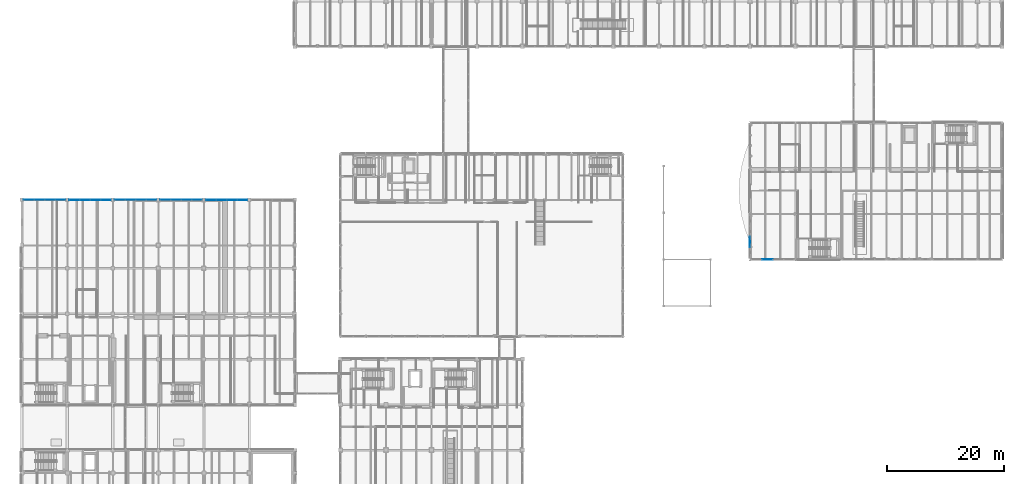
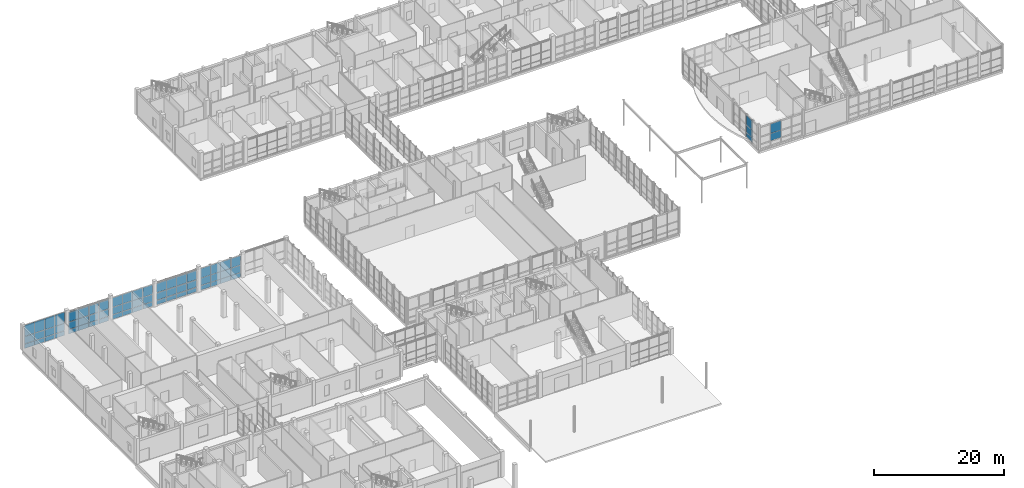
# One storey, part 76 of 131: 65 plates, 7 elements without a shape of their own.
"""IFC4 building model written with IfcOpenShell, lengths in metres."""

from ifc_helpers import new_model, si_unit, direction, frame, origin, origin_2d, place, context, subcontext, project, spatial, rectangle, extrude, material, layer, layer_set, type_object, element, aggregate, save


model = new_model("IFC4")

# Units and contexts
model_context = context("Model", 3, precision=1e-05, world=origin(), true_north=direction((0.0, 1.0)))
body_context = subcontext(model_context, "Body", "Model", "MODEL_VIEW")
ifc_project = project(units=[si_unit("LENGTHUNIT", "METRE"), si_unit("AREAUNIT", "SQUARE_METRE"), si_unit("VOLUMEUNIT", "CUBIC_METRE"), si_unit("PLANEANGLEUNIT", "RADIAN"), si_unit("MASSUNIT", "GRAM", prefix="KILO")], contexts=[model_context])

# Site, building, storey
site_placement = place(None, origin())
site = spatial("IfcSite", under=ifc_project, at=site_placement, CompositionType="ELEMENT")
building_placement = place(site_placement, origin())
building = spatial("IfcBuilding", under=site, at=building_placement, Name="Celorna Specialist Clinic", CompositionType="ELEMENT")
storey_placement = place(building_placement, origin())
storey = spatial("IfcBuildingStorey", under=building, at=storey_placement, Name="L00", CompositionType="ELEMENT", Elevation=0.0)

# Curtain wall, plates
ifc_material_1 = material(Name="Thermally broken aluminium and solar-control glass curtain wall", Category="aluminium")
ifc_layer_1 = layer(ifc_material_1, 0.159912109375, Name="Thermally broken aluminium and solar-control glass curtain wall")
ifc_layer_set_1 = layer_set([ifc_layer_1], Name="Thermally broken aluminium and solar-control glass curtain wall")
curtain_wall_type_1 = type_object("IfcCurtainWallType", Name="CW-16", PredefinedType="NOTDEFINED", material=ifc_layer_set_1)
curtain_wall_1_placement = place(storey_placement, origin())
curtain_wall_1 = element("IfcCurtainWall", 1, at=curtain_wall_1_placement, inside=storey, type_object=curtain_wall_type_1, Name="Curtain wall CW-16 #43", PredefinedType="NOTDEFINED")
ifc_material_2 = material(Name="Low-e double glazing", Category="glass")
ifc_layer_2 = layer(ifc_material_2, 0.028076171875, Name="Low-e double glazing")
ifc_layer_set_2 = layer_set([ifc_layer_2], Name="Low-e double glazing")
plate_type_1 = type_object("IfcPlateType", Name="CPN-01", PredefinedType="CURTAIN_PANEL", material=ifc_layer_set_2)
plate_1_placement = place(storey_placement, frame((16.8154296875, 70.199951171875, 0.0498046875), z_axis=(0.0, 0.0, 1.0), x_axis=(1.0, 0.0, 0.0)))
plate_1 = element("IfcPlate", 2, at=plate_1_placement, type_object=plate_type_1, Name="CW-16 panel 1.1", PredefinedType="CURTAIN_PANEL", context=body_context, shape_type="SweptSolid", body=[
    extrude(rectangle(XDim=1.722900390625, YDim=0.028076171875, at=origin_2d()), origin(), (0.0, 0.0, 1.0), 0.824951171875),
])
plate_2_placement = place(storey_placement, frame((16.8154296875, 70.199951171875, 0.925048828125), z_axis=(0.0, 0.0, 1.0), x_axis=(1.0, 0.0, 0.0)))
plate_2 = element("IfcPlate", 3, at=plate_2_placement, type_object=plate_type_1, Name="CW-16 panel 1.2", PredefinedType="CURTAIN_PANEL", context=body_context, shape_type="SweptSolid", body=[
    extrude(rectangle(XDim=1.722900390625, YDim=0.028076171875, at=origin_2d()), origin(), (0.0, 0.0, 1.0), 1.35009765625),
])
plate_3_placement = place(storey_placement, frame((16.8154296875, 70.199951171875, 2.3251953125), z_axis=(0.0, 0.0, 1.0), x_axis=(1.0, 0.0, 0.0)))
plate_3 = element("IfcPlate", 4, at=plate_3_placement, type_object=plate_type_1, Name="CW-16 panel 1.3", PredefinedType="CURTAIN_PANEL", context=body_context, shape_type="SweptSolid", body=[
    extrude(rectangle(XDim=1.722900390625, YDim=0.028076171875, at=origin_2d()), origin(), (0.0, 0.0, 1.0), 1.764892578125),
])
plate_4_placement = place(storey_placement, frame((18.60107421875, 70.199951171875, 0.0498046875), z_axis=(0.0, 0.0, 1.0), x_axis=(1.0, 0.0, 0.0)))
plate_4 = element("IfcPlate", 5, at=plate_4_placement, type_object=plate_type_1, Name="CW-16 panel 2.1", PredefinedType="CURTAIN_PANEL", context=body_context, shape_type="SweptSolid", body=[
    extrude(rectangle(XDim=1.748046875, YDim=0.028076171875, at=origin_2d()), origin(), (0.0, 0.0, 1.0), 0.824951171875),
])
plate_5_placement = place(storey_placement, frame((18.60107421875, 70.199951171875, 0.925048828125), z_axis=(0.0, 0.0, 1.0), x_axis=(1.0, 0.0, 0.0)))
plate_5 = element("IfcPlate", 6, at=plate_5_placement, type_object=plate_type_1, Name="CW-16 panel 2.2", PredefinedType="CURTAIN_PANEL", context=body_context, shape_type="SweptSolid", body=[
    extrude(rectangle(XDim=1.748046875, YDim=0.028076171875, at=origin_2d()), origin(), (0.0, 0.0, 1.0), 1.35009765625),
])
plate_6_placement = place(storey_placement, frame((18.60107421875, 70.199951171875, 2.3251953125), z_axis=(0.0, 0.0, 1.0), x_axis=(1.0, 0.0, 0.0)))
plate_6 = element("IfcPlate", 7, at=plate_6_placement, type_object=plate_type_1, Name="CW-16 panel 2.3", PredefinedType="CURTAIN_PANEL", context=body_context, shape_type="SweptSolid", body=[
    extrude(rectangle(XDim=1.748046875, YDim=0.028076171875, at=origin_2d()), origin(), (0.0, 0.0, 1.0), 1.764892578125),
])
plate_7_placement = place(storey_placement, frame((20.39892578125, 70.199951171875, 0.0498046875), z_axis=(0.0, 0.0, 1.0), x_axis=(1.0, 0.0, 0.0)))
plate_7 = element("IfcPlate", 8, at=plate_7_placement, type_object=plate_type_1, Name="CW-16 panel 3.1", PredefinedType="CURTAIN_PANEL", context=body_context, shape_type="SweptSolid", body=[
    extrude(rectangle(XDim=1.748046875, YDim=0.028076171875, at=origin_2d()), origin(), (0.0, 0.0, 1.0), 0.824951171875),
])
plate_8_placement = place(storey_placement, frame((20.39892578125, 70.199951171875, 0.925048828125), z_axis=(0.0, 0.0, 1.0), x_axis=(1.0, 0.0, 0.0)))
plate_8 = element("IfcPlate", 9, at=plate_8_placement, type_object=plate_type_1, Name="CW-16 panel 3.2", PredefinedType="CURTAIN_PANEL", context=body_context, shape_type="SweptSolid", body=[
    extrude(rectangle(XDim=1.748046875, YDim=0.028076171875, at=origin_2d()), origin(), (0.0, 0.0, 1.0), 1.35009765625),
])
plate_9_placement = place(storey_placement, frame((20.39892578125, 70.199951171875, 2.3251953125), z_axis=(0.0, 0.0, 1.0), x_axis=(1.0, 0.0, 0.0)))
plate_9 = element("IfcPlate", 10, at=plate_9_placement, type_object=plate_type_1, Name="CW-16 panel 3.3", PredefinedType="CURTAIN_PANEL", context=body_context, shape_type="SweptSolid", body=[
    extrude(rectangle(XDim=1.748046875, YDim=0.028076171875, at=origin_2d()), origin(), (0.0, 0.0, 1.0), 1.764892578125),
])
plate_10_placement = place(storey_placement, frame((22.1845703125, 70.199951171875, 0.0498046875), z_axis=(0.0, 0.0, 1.0), x_axis=(1.0, 0.0, 0.0)))
plate_10 = element("IfcPlate", 11, at=plate_10_placement, type_object=plate_type_1, Name="CW-16 panel 4.1", PredefinedType="CURTAIN_PANEL", context=body_context, shape_type="SweptSolid", body=[
    extrude(rectangle(XDim=1.722900390625, YDim=0.028076171875, at=origin_2d()), origin(), (0.0, 0.0, 1.0), 0.824951171875),
])
plate_11_placement = place(storey_placement, frame((22.1845703125, 70.199951171875, 0.925048828125), z_axis=(0.0, 0.0, 1.0), x_axis=(1.0, 0.0, 0.0)))
plate_11 = element("IfcPlate", 12, at=plate_11_placement, type_object=plate_type_1, Name="CW-16 panel 4.2", PredefinedType="CURTAIN_PANEL", context=body_context, shape_type="SweptSolid", body=[
    extrude(rectangle(XDim=1.722900390625, YDim=0.028076171875, at=origin_2d()), origin(), (0.0, 0.0, 1.0), 1.35009765625),
])
plate_12_placement = place(storey_placement, frame((22.1845703125, 70.199951171875, 2.3251953125), z_axis=(0.0, 0.0, 1.0), x_axis=(1.0, 0.0, 0.0)))
plate_12 = element("IfcPlate", 13, at=plate_12_placement, type_object=plate_type_1, Name="CW-16 panel 4.3", PredefinedType="CURTAIN_PANEL", context=body_context, shape_type="SweptSolid", body=[
    extrude(rectangle(XDim=1.722900390625, YDim=0.028076171875, at=origin_2d()), origin(), (0.0, 0.0, 1.0), 1.764892578125),
])
aggregate(curtain_wall_1, [plate_1, plate_2, plate_3, plate_4, plate_5, plate_6, plate_7, plate_8, plate_9, plate_10, plate_11, plate_12])

ifc_layer_3 = layer(ifc_material_1, 0.159912109375, Name="Thermally broken aluminium and solar-control glass curtain wall")
ifc_layer_set_3 = layer_set([ifc_layer_3], Name="Thermally broken aluminium and solar-control glass curtain wall")
curtain_wall_type_2 = type_object("IfcCurtainWallType", Name="CW-14", PredefinedType="NOTDEFINED", material=ifc_layer_set_3)
curtain_wall_2_placement = place(storey_placement, origin())
curtain_wall_2 = element("IfcCurtainWall", 14, at=curtain_wall_2_placement, inside=storey, type_object=curtain_wall_type_2, Name="Curtain wall CW-14 #41", PredefinedType="NOTDEFINED")
ifc_material_3 = material(Name="Solar-control triple glazing", Category="glass")
ifc_layer_4 = layer(ifc_material_3, 0.035888671875, Name="Solar-control triple glazing")
ifc_layer_set_4 = layer_set([ifc_layer_4], Name="Solar-control triple glazing")
plate_type_2 = type_object("IfcPlateType", Name="CPN-02", PredefinedType="CURTAIN_PANEL", material=ifc_layer_set_4)
plate_13_placement = place(storey_placement, frame((1.215576171875, 70.199951171875, 0.0498046875), z_axis=(0.0, 0.0, 1.0), x_axis=(1.0, 0.0, 0.0)))
plate_13 = element("IfcPlate", 15, at=plate_13_placement, type_object=plate_type_2, Name="CW-14 panel 1.1", PredefinedType="CURTAIN_PANEL", context=body_context, shape_type="SweptSolid", body=[
    extrude(rectangle(XDim=1.722900390625, YDim=0.035888671875, at=origin_2d()), origin(), (0.0, 0.0, 1.0), 0.824951171875),
])
plate_14_placement = place(storey_placement, frame((1.215576171875, 70.199951171875, 0.925048828125), z_axis=(0.0, 0.0, 1.0), x_axis=(1.0, 0.0, 0.0)))
plate_14 = element("IfcPlate", 16, at=plate_14_placement, type_object=plate_type_2, Name="CW-14 panel 1.2", PredefinedType="CURTAIN_PANEL", context=body_context, shape_type="SweptSolid", body=[
    extrude(rectangle(XDim=1.722900390625, YDim=0.035888671875, at=origin_2d()), origin(), (0.0, 0.0, 1.0), 1.35009765625),
])
plate_15_placement = place(storey_placement, frame((1.215576171875, 70.199951171875, 2.324951171875), z_axis=(0.0, 0.0, 1.0), x_axis=(1.0, 0.0, 0.0)))
plate_15 = element("IfcPlate", 17, at=plate_15_placement, type_object=plate_type_2, Name="CW-14 panel 1.3", PredefinedType="CURTAIN_PANEL", context=body_context, shape_type="SweptSolid", body=[
    extrude(rectangle(XDim=1.722900390625, YDim=0.035888671875, at=origin_2d()), origin(), (0.0, 0.0, 1.0), 2.0849609375),
])
plate_16_placement = place(storey_placement, frame((3.0009765625, 70.199951171875, 0.0498046875), z_axis=(0.0, 0.0, 1.0), x_axis=(1.0, 0.0, 0.0)))
plate_16 = element("IfcPlate", 18, at=plate_16_placement, type_object=plate_type_2, Name="CW-14 panel 2.1", PredefinedType="CURTAIN_PANEL", context=body_context, shape_type="SweptSolid", body=[
    extrude(rectangle(XDim=1.748046875, YDim=0.035888671875, at=origin_2d()), origin(), (0.0, 0.0, 1.0), 0.824951171875),
])
plate_17_placement = place(storey_placement, frame((3.0009765625, 70.199951171875, 0.925048828125), z_axis=(0.0, 0.0, 1.0), x_axis=(1.0, 0.0, 0.0)))
plate_17 = element("IfcPlate", 19, at=plate_17_placement, type_object=plate_type_2, Name="CW-14 panel 2.2", PredefinedType="CURTAIN_PANEL", context=body_context, shape_type="SweptSolid", body=[
    extrude(rectangle(XDim=1.748046875, YDim=0.035888671875, at=origin_2d()), origin(), (0.0, 0.0, 1.0), 1.35009765625),
])
plate_18_placement = place(storey_placement, frame((3.0009765625, 70.199951171875, 2.324951171875), z_axis=(0.0, 0.0, 1.0), x_axis=(1.0, 0.0, 0.0)))
plate_18 = element("IfcPlate", 20, at=plate_18_placement, type_object=plate_type_2, Name="CW-14 panel 2.3", PredefinedType="CURTAIN_PANEL", context=body_context, shape_type="SweptSolid", body=[
    extrude(rectangle(XDim=1.748046875, YDim=0.035888671875, at=origin_2d()), origin(), (0.0, 0.0, 1.0), 2.0849609375),
])
plate_19_placement = place(storey_placement, frame((4.799072265625, 70.199951171875, 0.0498046875), z_axis=(0.0, 0.0, 1.0), x_axis=(1.0, 0.0, 0.0)))
plate_19 = element("IfcPlate", 21, at=plate_19_placement, type_object=plate_type_2, Name="CW-14 panel 3.1", PredefinedType="CURTAIN_PANEL", context=body_context, shape_type="SweptSolid", body=[
    extrude(rectangle(XDim=1.748046875, YDim=0.035888671875, at=origin_2d()), origin(), (0.0, 0.0, 1.0), 0.824951171875),
])
plate_20_placement = place(storey_placement, frame((4.799072265625, 70.199951171875, 0.925048828125), z_axis=(0.0, 0.0, 1.0), x_axis=(1.0, 0.0, 0.0)))
plate_20 = element("IfcPlate", 22, at=plate_20_placement, type_object=plate_type_2, Name="CW-14 panel 3.2", PredefinedType="CURTAIN_PANEL", context=body_context, shape_type="SweptSolid", body=[
    extrude(rectangle(XDim=1.748046875, YDim=0.035888671875, at=origin_2d()), origin(), (0.0, 0.0, 1.0), 1.35009765625),
])
plate_21_placement = place(storey_placement, frame((4.799072265625, 70.199951171875, 2.324951171875), z_axis=(0.0, 0.0, 1.0), x_axis=(1.0, 0.0, 0.0)))
plate_21 = element("IfcPlate", 23, at=plate_21_placement, type_object=plate_type_2, Name="CW-14 panel 3.3", PredefinedType="CURTAIN_PANEL", context=body_context, shape_type="SweptSolid", body=[
    extrude(rectangle(XDim=1.748046875, YDim=0.035888671875, at=origin_2d()), origin(), (0.0, 0.0, 1.0), 2.0849609375),
])
plate_22_placement = place(storey_placement, frame((6.58447265625, 70.199951171875, 0.0498046875), z_axis=(0.0, 0.0, 1.0), x_axis=(1.0, 0.0, 0.0)))
plate_22 = element("IfcPlate", 24, at=plate_22_placement, type_object=plate_type_2, Name="CW-14 panel 4.1", PredefinedType="CURTAIN_PANEL", context=body_context, shape_type="SweptSolid", body=[
    extrude(rectangle(XDim=1.722900390625, YDim=0.035888671875, at=origin_2d()), origin(), (0.0, 0.0, 1.0), 0.824951171875),
])
plate_23_placement = place(storey_placement, frame((6.58447265625, 70.199951171875, 0.925048828125), z_axis=(0.0, 0.0, 1.0), x_axis=(1.0, 0.0, 0.0)))
plate_23 = element("IfcPlate", 25, at=plate_23_placement, type_object=plate_type_2, Name="CW-14 panel 4.2", PredefinedType="CURTAIN_PANEL", context=body_context, shape_type="SweptSolid", body=[
    extrude(rectangle(XDim=1.722900390625, YDim=0.035888671875, at=origin_2d()), origin(), (0.0, 0.0, 1.0), 1.35009765625),
])
plate_24_placement = place(storey_placement, frame((6.58447265625, 70.199951171875, 2.324951171875), z_axis=(0.0, 0.0, 1.0), x_axis=(1.0, 0.0, 0.0)))
plate_24 = element("IfcPlate", 26, at=plate_24_placement, type_object=plate_type_2, Name="CW-14 panel 4.3", PredefinedType="CURTAIN_PANEL", context=body_context, shape_type="SweptSolid", body=[
    extrude(rectangle(XDim=1.722900390625, YDim=0.035888671875, at=origin_2d()), origin(), (0.0, 0.0, 1.0), 2.0849609375),
])
aggregate(curtain_wall_2, [plate_13, plate_14, plate_15, plate_16, plate_17, plate_18, plate_19, plate_20, plate_21, plate_22, plate_23, plate_24])

ifc_layer_5 = layer(ifc_material_1, 0.159912109375, Name="Thermally broken aluminium and solar-control glass curtain wall")
ifc_layer_set_5 = layer_set([ifc_layer_5], Name="Thermally broken aluminium and solar-control glass curtain wall")
curtain_wall_type_3 = type_object("IfcCurtainWallType", Name="CW-17", PredefinedType="NOTDEFINED", material=ifc_layer_set_5)
curtain_wall_3_placement = place(storey_placement, origin())
curtain_wall_3 = element("IfcCurtainWall", 27, at=curtain_wall_3_placement, inside=storey, type_object=curtain_wall_type_3, Name="Curtain wall CW-17 #44", PredefinedType="NOTDEFINED")
plate_25_placement = place(storey_placement, frame((24.615478515625, 70.199951171875, 0.0498046875), z_axis=(0.0, 0.0, 1.0), x_axis=(1.0, 0.0, 0.0)))
plate_25 = element("IfcPlate", 28, at=plate_25_placement, type_object=plate_type_2, Name="CW-17 panel 1.1", PredefinedType="CURTAIN_PANEL", context=body_context, shape_type="SweptSolid", body=[
    extrude(rectangle(XDim=1.722900390625, YDim=0.035888671875, at=origin_2d()), origin(), (0.0, 0.0, 1.0), 0.824951171875),
])
plate_26_placement = place(storey_placement, frame((24.615478515625, 70.199951171875, 0.925048828125), z_axis=(0.0, 0.0, 1.0), x_axis=(1.0, 0.0, 0.0)))
plate_26 = element("IfcPlate", 29, at=plate_26_placement, type_object=plate_type_2, Name="CW-17 panel 1.2", PredefinedType="CURTAIN_PANEL", context=body_context, shape_type="SweptSolid", body=[
    extrude(rectangle(XDim=1.722900390625, YDim=0.035888671875, at=origin_2d()), origin(), (0.0, 0.0, 1.0), 1.35009765625),
])
plate_27_placement = place(storey_placement, frame((24.615478515625, 70.199951171875, 2.3251953125), z_axis=(0.0, 0.0, 1.0), x_axis=(1.0, 0.0, 0.0)))
plate_27 = element("IfcPlate", 30, at=plate_27_placement, type_object=plate_type_2, Name="CW-17 panel 1.3", PredefinedType="CURTAIN_PANEL", context=body_context, shape_type="SweptSolid", body=[
    extrude(rectangle(XDim=1.722900390625, YDim=0.035888671875, at=origin_2d()), origin(), (0.0, 0.0, 1.0), 1.764892578125),
])
plate_28_placement = place(storey_placement, frame((26.40087890625, 70.199951171875, 0.0498046875), z_axis=(0.0, 0.0, 1.0), x_axis=(1.0, 0.0, 0.0)))
plate_28 = element("IfcPlate", 31, at=plate_28_placement, type_object=plate_type_2, Name="CW-17 panel 2.1", PredefinedType="CURTAIN_PANEL", context=body_context, shape_type="SweptSolid", body=[
    extrude(rectangle(XDim=1.748046875, YDim=0.035888671875, at=origin_2d()), origin(), (0.0, 0.0, 1.0), 0.824951171875),
])
plate_29_placement = place(storey_placement, frame((26.40087890625, 70.199951171875, 0.925048828125), z_axis=(0.0, 0.0, 1.0), x_axis=(1.0, 0.0, 0.0)))
plate_29 = element("IfcPlate", 32, at=plate_29_placement, type_object=plate_type_2, Name="CW-17 panel 2.2", PredefinedType="CURTAIN_PANEL", context=body_context, shape_type="SweptSolid", body=[
    extrude(rectangle(XDim=1.748046875, YDim=0.035888671875, at=origin_2d()), origin(), (0.0, 0.0, 1.0), 1.35009765625),
])
plate_30_placement = place(storey_placement, frame((26.40087890625, 70.199951171875, 2.3251953125), z_axis=(0.0, 0.0, 1.0), x_axis=(1.0, 0.0, 0.0)))
plate_30 = element("IfcPlate", 33, at=plate_30_placement, type_object=plate_type_2, Name="CW-17 panel 2.3", PredefinedType="CURTAIN_PANEL", context=body_context, shape_type="SweptSolid", body=[
    extrude(rectangle(XDim=1.748046875, YDim=0.035888671875, at=origin_2d()), origin(), (0.0, 0.0, 1.0), 1.764892578125),
])
plate_31_placement = place(storey_placement, frame((28.198974609375, 70.199951171875, 0.0498046875), z_axis=(0.0, 0.0, 1.0), x_axis=(1.0, 0.0, 0.0)))
plate_31 = element("IfcPlate", 34, at=plate_31_placement, type_object=plate_type_2, Name="CW-17 panel 3.1", PredefinedType="CURTAIN_PANEL", context=body_context, shape_type="SweptSolid", body=[
    extrude(rectangle(XDim=1.748046875, YDim=0.035888671875, at=origin_2d()), origin(), (0.0, 0.0, 1.0), 0.824951171875),
])
plate_32_placement = place(storey_placement, frame((28.198974609375, 70.199951171875, 0.925048828125), z_axis=(0.0, 0.0, 1.0), x_axis=(1.0, 0.0, 0.0)))
plate_32 = element("IfcPlate", 35, at=plate_32_placement, type_object=plate_type_2, Name="CW-17 panel 3.2", PredefinedType="CURTAIN_PANEL", context=body_context, shape_type="SweptSolid", body=[
    extrude(rectangle(XDim=1.748046875, YDim=0.035888671875, at=origin_2d()), origin(), (0.0, 0.0, 1.0), 1.35009765625),
])
plate_33_placement = place(storey_placement, frame((28.198974609375, 70.199951171875, 2.3251953125), z_axis=(0.0, 0.0, 1.0), x_axis=(1.0, 0.0, 0.0)))
plate_33 = element("IfcPlate", 36, at=plate_33_placement, type_object=plate_type_2, Name="CW-17 panel 3.3", PredefinedType="CURTAIN_PANEL", context=body_context, shape_type="SweptSolid", body=[
    extrude(rectangle(XDim=1.748046875, YDim=0.035888671875, at=origin_2d()), origin(), (0.0, 0.0, 1.0), 1.764892578125),
])
plate_34_placement = place(storey_placement, frame((29.984619140625, 70.199951171875, 0.0498046875), z_axis=(0.0, 0.0, 1.0), x_axis=(1.0, 0.0, 0.0)))
plate_34 = element("IfcPlate", 37, at=plate_34_placement, type_object=plate_type_2, Name="CW-17 panel 4.1", PredefinedType="CURTAIN_PANEL", context=body_context, shape_type="SweptSolid", body=[
    extrude(rectangle(XDim=1.722900390625, YDim=0.035888671875, at=origin_2d()), origin(), (0.0, 0.0, 1.0), 0.824951171875),
])
plate_35_placement = place(storey_placement, frame((29.984619140625, 70.199951171875, 0.925048828125), z_axis=(0.0, 0.0, 1.0), x_axis=(1.0, 0.0, 0.0)))
plate_35 = element("IfcPlate", 38, at=plate_35_placement, type_object=plate_type_2, Name="CW-17 panel 4.2", PredefinedType="CURTAIN_PANEL", context=body_context, shape_type="SweptSolid", body=[
    extrude(rectangle(XDim=1.722900390625, YDim=0.035888671875, at=origin_2d()), origin(), (0.0, 0.0, 1.0), 1.35009765625),
])
plate_36_placement = place(storey_placement, frame((29.984619140625, 70.199951171875, 2.3251953125), z_axis=(0.0, 0.0, 1.0), x_axis=(1.0, 0.0, 0.0)))
plate_36 = element("IfcPlate", 39, at=plate_36_placement, type_object=plate_type_2, Name="CW-17 panel 4.3", PredefinedType="CURTAIN_PANEL", context=body_context, shape_type="SweptSolid", body=[
    extrude(rectangle(XDim=1.722900390625, YDim=0.035888671875, at=origin_2d()), origin(), (0.0, 0.0, 1.0), 1.764892578125),
])
aggregate(curtain_wall_3, [plate_25, plate_26, plate_27, plate_28, plate_29, plate_30, plate_31, plate_32, plate_33, plate_34, plate_35, plate_36])

ifc_layer_6 = layer(ifc_material_1, 0.159912109375, Name="Thermally broken aluminium and solar-control glass curtain wall")
ifc_layer_set_6 = layer_set([ifc_layer_6], Name="Thermally broken aluminium and solar-control glass curtain wall")
curtain_wall_type_4 = type_object("IfcCurtainWallType", Name="CW-34", PredefinedType="NOTDEFINED", material=ifc_layer_set_6)
curtain_wall_4_placement = place(storey_placement, origin())
curtain_wall_4 = element("IfcCurtainWall", 40, at=curtain_wall_4_placement, inside=storey, type_object=curtain_wall_type_4, Name="Curtain wall CW-34 #64", PredefinedType="NOTDEFINED")
plate_37_placement = place(storey_placement, frame((127.763427734375, 60.0, 0.925048828125), z_axis=(0.0, 0.0, 1.0), x_axis=(-1.0, 0.0, 0.0)))
plate_37 = element("IfcPlate", 41, at=plate_37_placement, type_object=plate_type_2, Name="CW-34 panel 3.2", PredefinedType="CURTAIN_PANEL", context=body_context, shape_type="SweptSolid", body=[
    extrude(rectangle(XDim=1.822998046875, YDim=0.035888671875, at=origin_2d()), origin(), (0.0, 0.0, 1.0), 1.35009765625),
])
plate_38_placement = place(storey_placement, frame((127.763427734375, 60.0, 2.3251953125), z_axis=(0.0, 0.0, 1.0), x_axis=(-1.0, 0.0, 0.0)))
plate_38 = element("IfcPlate", 42, at=plate_38_placement, type_object=plate_type_2, Name="CW-34 panel 3.3", PredefinedType="CURTAIN_PANEL", context=body_context, shape_type="SweptSolid", body=[
    extrude(rectangle(XDim=1.822998046875, YDim=0.035888671875, at=origin_2d()), origin(), (0.0, 0.0, 1.0), 1.764892578125),
])
aggregate(curtain_wall_4, [plate_37, plate_38])

ifc_layer_7 = layer(ifc_material_1, 0.159912109375, Name="Thermally broken aluminium and solar-control glass curtain wall")
ifc_layer_set_7 = layer_set([ifc_layer_7], Name="Thermally broken aluminium and solar-control glass curtain wall")
curtain_wall_type_5 = type_object("IfcCurtainWallType", Name="CW-38", PredefinedType="NOTDEFINED", material=ifc_layer_set_7)
curtain_wall_5_placement = place(storey_placement, origin())
curtain_wall_5 = element("IfcCurtainWall", 43, at=curtain_wall_5_placement, inside=storey, type_object=curtain_wall_type_5, Name="Curtain wall CW-38 #73", PredefinedType="NOTDEFINED")
plate_39_placement = place(storey_placement, frame((124.800048828125, 62.974853515625, 0.0498046875), z_axis=(0.0, 0.0, 1.0), x_axis=(0.0, 1.0, 0.0)))
plate_39 = element("IfcPlate", 44, at=plate_39_placement, type_object=plate_type_2, Name="CW-38 panel 2.1", PredefinedType="CURTAIN_PANEL", context=body_context, shape_type="SweptSolid", body=[
    extrude(rectangle(XDim=1.800537109375, YDim=0.035888671875, at=origin_2d()), origin(), (0.0, 0.0, 1.0), 0.824951171875),
])
plate_40_placement = place(storey_placement, frame((124.800048828125, 62.974853515625, 0.925048828125), z_axis=(0.0, 0.0, 1.0), x_axis=(0.0, 1.0, 0.0)))
plate_40 = element("IfcPlate", 45, at=plate_40_placement, type_object=plate_type_2, Name="CW-38 panel 2.2", PredefinedType="CURTAIN_PANEL", context=body_context, shape_type="SweptSolid", body=[
    extrude(rectangle(XDim=1.800537109375, YDim=0.035888671875, at=origin_2d()), origin(), (0.0, 0.0, 1.0), 1.35009765625),
])
plate_41_placement = place(storey_placement, frame((124.800048828125, 62.974853515625, 2.3251953125), z_axis=(0.0, 0.0, 1.0), x_axis=(0.0, 1.0, 0.0)))
plate_41 = element("IfcPlate", 46, at=plate_41_placement, type_object=plate_type_2, Name="CW-38 panel 2.3", PredefinedType="CURTAIN_PANEL", context=body_context, shape_type="SweptSolid", body=[
    extrude(rectangle(XDim=1.800537109375, YDim=0.035888671875, at=origin_2d()), origin(), (0.0, 0.0, 1.0), 1.764892578125),
])
aggregate(curtain_wall_5, [plate_39, plate_40, plate_41])

ifc_layer_8 = layer(ifc_material_1, 0.159912109375, Name="Thermally broken aluminium and solar-control glass curtain wall")
ifc_layer_set_8 = layer_set([ifc_layer_8], Name="Thermally broken aluminium and solar-control glass curtain wall")
curtain_wall_type_6 = type_object("IfcCurtainWallType", Name="CW-15", PredefinedType="NOTDEFINED", material=ifc_layer_set_8)
curtain_wall_6_placement = place(storey_placement, origin())
curtain_wall_6 = element("IfcCurtainWall", 47, at=curtain_wall_6_placement, inside=storey, type_object=curtain_wall_type_6, Name="Curtain wall CW-15 #42", PredefinedType="NOTDEFINED")
ifc_material_4 = material(Name="Glazed polychrome ceramic insulated spandrel")
ifc_layer_9 = layer(ifc_material_4, 0.0439453125, Name="Glazed polychrome ceramic insulated spandrel")
ifc_layer_set_9 = layer_set([ifc_layer_9], Name="Glazed polychrome ceramic insulated spandrel")
plate_type_3 = type_object("IfcPlateType", Name="CPN-03", PredefinedType="CURTAIN_PANEL", material=ifc_layer_set_9)
plate_42_placement = place(storey_placement, frame((9.015380859375, 70.199951171875, 0.0498046875), z_axis=(0.0, 0.0, 1.0), x_axis=(1.0, 0.0, 0.0)))
plate_42 = element("IfcPlate", 48, at=plate_42_placement, type_object=plate_type_3, Name="CW-15 panel 1.1", PredefinedType="CURTAIN_PANEL", context=body_context, shape_type="SweptSolid", body=[
    extrude(rectangle(XDim=1.722900390625, YDim=0.0439453125, at=origin_2d()), origin(), (0.0, 0.0, 1.0), 0.824951171875),
])
plate_43_placement = place(storey_placement, frame((9.015380859375, 70.199951171875, 0.925048828125), z_axis=(0.0, 0.0, 1.0), x_axis=(1.0, 0.0, 0.0)))
plate_43 = element("IfcPlate", 49, at=plate_43_placement, type_object=plate_type_3, Name="CW-15 panel 1.2", PredefinedType="CURTAIN_PANEL", context=body_context, shape_type="SweptSolid", body=[
    extrude(rectangle(XDim=1.722900390625, YDim=0.0439453125, at=origin_2d()), origin(), (0.0, 0.0, 1.0), 1.35009765625),
])
plate_44_placement = place(storey_placement, frame((9.015380859375, 70.199951171875, 2.3251953125), z_axis=(0.0, 0.0, 1.0), x_axis=(1.0, 0.0, 0.0)))
plate_44 = element("IfcPlate", 50, at=plate_44_placement, type_object=plate_type_3, Name="CW-15 panel 1.3", PredefinedType="CURTAIN_PANEL", context=body_context, shape_type="SweptSolid", body=[
    extrude(rectangle(XDim=1.722900390625, YDim=0.0439453125, at=origin_2d()), origin(), (0.0, 0.0, 1.0), 1.764892578125),
])
plate_45_placement = place(storey_placement, frame((10.801025390625, 70.199951171875, 0.0498046875), z_axis=(0.0, 0.0, 1.0), x_axis=(1.0, 0.0, 0.0)))
plate_45 = element("IfcPlate", 51, at=plate_45_placement, type_object=plate_type_3, Name="CW-15 panel 2.1", PredefinedType="CURTAIN_PANEL", context=body_context, shape_type="SweptSolid", body=[
    extrude(rectangle(XDim=1.748046875, YDim=0.0439453125, at=origin_2d()), origin(), (0.0, 0.0, 1.0), 0.824951171875),
])
plate_46_placement = place(storey_placement, frame((10.801025390625, 70.199951171875, 0.925048828125), z_axis=(0.0, 0.0, 1.0), x_axis=(1.0, 0.0, 0.0)))
plate_46 = element("IfcPlate", 52, at=plate_46_placement, type_object=plate_type_3, Name="CW-15 panel 2.2", PredefinedType="CURTAIN_PANEL", context=body_context, shape_type="SweptSolid", body=[
    extrude(rectangle(XDim=1.748046875, YDim=0.0439453125, at=origin_2d()), origin(), (0.0, 0.0, 1.0), 1.35009765625),
])
plate_47_placement = place(storey_placement, frame((10.801025390625, 70.199951171875, 2.3251953125), z_axis=(0.0, 0.0, 1.0), x_axis=(1.0, 0.0, 0.0)))
plate_47 = element("IfcPlate", 53, at=plate_47_placement, type_object=plate_type_3, Name="CW-15 panel 2.3", PredefinedType="CURTAIN_PANEL", context=body_context, shape_type="SweptSolid", body=[
    extrude(rectangle(XDim=1.748046875, YDim=0.0439453125, at=origin_2d()), origin(), (0.0, 0.0, 1.0), 1.764892578125),
])
plate_48_placement = place(storey_placement, frame((12.59912109375, 70.199951171875, 0.0498046875), z_axis=(0.0, 0.0, 1.0), x_axis=(1.0, 0.0, 0.0)))
plate_48 = element("IfcPlate", 54, at=plate_48_placement, type_object=plate_type_3, Name="CW-15 panel 3.1", PredefinedType="CURTAIN_PANEL", context=body_context, shape_type="SweptSolid", body=[
    extrude(rectangle(XDim=1.748046875, YDim=0.0439453125, at=origin_2d()), origin(), (0.0, 0.0, 1.0), 0.824951171875),
])
plate_49_placement = place(storey_placement, frame((12.59912109375, 70.199951171875, 0.925048828125), z_axis=(0.0, 0.0, 1.0), x_axis=(1.0, 0.0, 0.0)))
plate_49 = element("IfcPlate", 55, at=plate_49_placement, type_object=plate_type_3, Name="CW-15 panel 3.2", PredefinedType="CURTAIN_PANEL", context=body_context, shape_type="SweptSolid", body=[
    extrude(rectangle(XDim=1.748046875, YDim=0.0439453125, at=origin_2d()), origin(), (0.0, 0.0, 1.0), 1.35009765625),
])
plate_50_placement = place(storey_placement, frame((12.59912109375, 70.199951171875, 2.3251953125), z_axis=(0.0, 0.0, 1.0), x_axis=(1.0, 0.0, 0.0)))
plate_50 = element("IfcPlate", 56, at=plate_50_placement, type_object=plate_type_3, Name="CW-15 panel 3.3", PredefinedType="CURTAIN_PANEL", context=body_context, shape_type="SweptSolid", body=[
    extrude(rectangle(XDim=1.748046875, YDim=0.0439453125, at=origin_2d()), origin(), (0.0, 0.0, 1.0), 1.764892578125),
])
plate_51_placement = place(storey_placement, frame((14.384521484375, 70.199951171875, 0.0498046875), z_axis=(0.0, 0.0, 1.0), x_axis=(1.0, 0.0, 0.0)))
plate_51 = element("IfcPlate", 57, at=plate_51_placement, type_object=plate_type_3, Name="CW-15 panel 4.1", PredefinedType="CURTAIN_PANEL", context=body_context, shape_type="SweptSolid", body=[
    extrude(rectangle(XDim=1.722900390625, YDim=0.0439453125, at=origin_2d()), origin(), (0.0, 0.0, 1.0), 0.824951171875),
])
plate_52_placement = place(storey_placement, frame((14.384521484375, 70.199951171875, 0.925048828125), z_axis=(0.0, 0.0, 1.0), x_axis=(1.0, 0.0, 0.0)))
plate_52 = element("IfcPlate", 58, at=plate_52_placement, type_object=plate_type_3, Name="CW-15 panel 4.2", PredefinedType="CURTAIN_PANEL", context=body_context, shape_type="SweptSolid", body=[
    extrude(rectangle(XDim=1.722900390625, YDim=0.0439453125, at=origin_2d()), origin(), (0.0, 0.0, 1.0), 1.35009765625),
])
plate_53_placement = place(storey_placement, frame((14.384521484375, 70.199951171875, 2.3251953125), z_axis=(0.0, 0.0, 1.0), x_axis=(1.0, 0.0, 0.0)))
plate_53 = element("IfcPlate", 59, at=plate_53_placement, type_object=plate_type_3, Name="CW-15 panel 4.3", PredefinedType="CURTAIN_PANEL", context=body_context, shape_type="SweptSolid", body=[
    extrude(rectangle(XDim=1.722900390625, YDim=0.0439453125, at=origin_2d()), origin(), (0.0, 0.0, 1.0), 1.764892578125),
])
aggregate(curtain_wall_6, [plate_42, plate_43, plate_44, plate_45, plate_46, plate_47, plate_48, plate_49, plate_50, plate_51, plate_52, plate_53])

curtain_wall_7_placement = place(storey_placement, origin())
curtain_wall_7 = element("IfcCurtainWall", 60, at=curtain_wall_7_placement, inside=storey, type_object=curtain_wall_type_6, Name="Curtain wall CW-15 #45", PredefinedType="NOTDEFINED")
plate_54_placement = place(storey_placement, frame((32.41552734375, 70.199951171875, 0.0498046875), z_axis=(0.0, 0.0, 1.0), x_axis=(1.0, 0.0, 0.0)))
plate_54 = element("IfcPlate", 61, at=plate_54_placement, type_object=plate_type_3, Name="CW-15 panel 1.1", PredefinedType="CURTAIN_PANEL", context=body_context, shape_type="SweptSolid", body=[
    extrude(rectangle(XDim=1.722900390625, YDim=0.0439453125, at=origin_2d()), origin(), (0.0, 0.0, 1.0), 0.824951171875),
])
plate_55_placement = place(storey_placement, frame((32.41552734375, 70.199951171875, 0.925048828125), z_axis=(0.0, 0.0, 1.0), x_axis=(1.0, 0.0, 0.0)))
plate_55 = element("IfcPlate", 62, at=plate_55_placement, type_object=plate_type_3, Name="CW-15 panel 1.2", PredefinedType="CURTAIN_PANEL", context=body_context, shape_type="SweptSolid", body=[
    extrude(rectangle(XDim=1.722900390625, YDim=0.0439453125, at=origin_2d()), origin(), (0.0, 0.0, 1.0), 1.35009765625),
])
plate_56_placement = place(storey_placement, frame((32.41552734375, 70.199951171875, 2.3251953125), z_axis=(0.0, 0.0, 1.0), x_axis=(1.0, 0.0, 0.0)))
plate_56 = element("IfcPlate", 63, at=plate_56_placement, type_object=plate_type_3, Name="CW-15 panel 1.3", PredefinedType="CURTAIN_PANEL", context=body_context, shape_type="SweptSolid", body=[
    extrude(rectangle(XDim=1.722900390625, YDim=0.0439453125, at=origin_2d()), origin(), (0.0, 0.0, 1.0), 1.764892578125),
])
plate_57_placement = place(storey_placement, frame((34.200927734375, 70.199951171875, 0.0498046875), z_axis=(0.0, 0.0, 1.0), x_axis=(1.0, 0.0, 0.0)))
plate_57 = element("IfcPlate", 64, at=plate_57_placement, type_object=plate_type_3, Name="CW-15 panel 2.1", PredefinedType="CURTAIN_PANEL", context=body_context, shape_type="SweptSolid", body=[
    extrude(rectangle(XDim=1.748046875, YDim=0.0439453125, at=origin_2d()), origin(), (0.0, 0.0, 1.0), 0.824951171875),
])
plate_58_placement = place(storey_placement, frame((34.200927734375, 70.199951171875, 0.925048828125), z_axis=(0.0, 0.0, 1.0), x_axis=(1.0, 0.0, 0.0)))
plate_58 = element("IfcPlate", 65, at=plate_58_placement, type_object=plate_type_3, Name="CW-15 panel 2.2", PredefinedType="CURTAIN_PANEL", context=body_context, shape_type="SweptSolid", body=[
    extrude(rectangle(XDim=1.748046875, YDim=0.0439453125, at=origin_2d()), origin(), (0.0, 0.0, 1.0), 1.35009765625),
])
plate_59_placement = place(storey_placement, frame((34.200927734375, 70.199951171875, 2.3251953125), z_axis=(0.0, 0.0, 1.0), x_axis=(1.0, 0.0, 0.0)))
plate_59 = element("IfcPlate", 66, at=plate_59_placement, type_object=plate_type_3, Name="CW-15 panel 2.3", PredefinedType="CURTAIN_PANEL", context=body_context, shape_type="SweptSolid", body=[
    extrude(rectangle(XDim=1.748046875, YDim=0.0439453125, at=origin_2d()), origin(), (0.0, 0.0, 1.0), 1.764892578125),
])
plate_60_placement = place(storey_placement, frame((35.9990234375, 70.199951171875, 0.0498046875), z_axis=(0.0, 0.0, 1.0), x_axis=(1.0, 0.0, 0.0)))
plate_60 = element("IfcPlate", 67, at=plate_60_placement, type_object=plate_type_3, Name="CW-15 panel 3.1", PredefinedType="CURTAIN_PANEL", context=body_context, shape_type="SweptSolid", body=[
    extrude(rectangle(XDim=1.748046875, YDim=0.0439453125, at=origin_2d()), origin(), (0.0, 0.0, 1.0), 0.824951171875),
])
plate_61_placement = place(storey_placement, frame((35.9990234375, 70.199951171875, 0.925048828125), z_axis=(0.0, 0.0, 1.0), x_axis=(1.0, 0.0, 0.0)))
plate_61 = element("IfcPlate", 68, at=plate_61_placement, type_object=plate_type_3, Name="CW-15 panel 3.2", PredefinedType="CURTAIN_PANEL", context=body_context, shape_type="SweptSolid", body=[
    extrude(rectangle(XDim=1.748046875, YDim=0.0439453125, at=origin_2d()), origin(), (0.0, 0.0, 1.0), 1.35009765625),
])
plate_62_placement = place(storey_placement, frame((35.9990234375, 70.199951171875, 2.3251953125), z_axis=(0.0, 0.0, 1.0), x_axis=(1.0, 0.0, 0.0)))
plate_62 = element("IfcPlate", 69, at=plate_62_placement, type_object=plate_type_3, Name="CW-15 panel 3.3", PredefinedType="CURTAIN_PANEL", context=body_context, shape_type="SweptSolid", body=[
    extrude(rectangle(XDim=1.748046875, YDim=0.0439453125, at=origin_2d()), origin(), (0.0, 0.0, 1.0), 1.764892578125),
])
plate_63_placement = place(storey_placement, frame((37.784423828125, 70.199951171875, 0.0498046875), z_axis=(0.0, 0.0, 1.0), x_axis=(1.0, 0.0, 0.0)))
plate_63 = element("IfcPlate", 70, at=plate_63_placement, type_object=plate_type_3, Name="CW-15 panel 4.1", PredefinedType="CURTAIN_PANEL", context=body_context, shape_type="SweptSolid", body=[
    extrude(rectangle(XDim=1.722900390625, YDim=0.0439453125, at=origin_2d()), origin(), (0.0, 0.0, 1.0), 0.824951171875),
])
plate_64_placement = place(storey_placement, frame((37.784423828125, 70.199951171875, 0.925048828125), z_axis=(0.0, 0.0, 1.0), x_axis=(1.0, 0.0, 0.0)))
plate_64 = element("IfcPlate", 71, at=plate_64_placement, type_object=plate_type_3, Name="CW-15 panel 4.2", PredefinedType="CURTAIN_PANEL", context=body_context, shape_type="SweptSolid", body=[
    extrude(rectangle(XDim=1.722900390625, YDim=0.0439453125, at=origin_2d()), origin(), (0.0, 0.0, 1.0), 1.35009765625),
])
plate_65_placement = place(storey_placement, frame((37.784423828125, 70.199951171875, 2.3251953125), z_axis=(0.0, 0.0, 1.0), x_axis=(1.0, 0.0, 0.0)))
plate_65 = element("IfcPlate", 72, at=plate_65_placement, type_object=plate_type_3, Name="CW-15 panel 4.3", PredefinedType="CURTAIN_PANEL", context=body_context, shape_type="SweptSolid", body=[
    extrude(rectangle(XDim=1.722900390625, YDim=0.0439453125, at=origin_2d()), origin(), (0.0, 0.0, 1.0), 1.764892578125),
])
aggregate(curtain_wall_7, [plate_54, plate_55, plate_56, plate_57, plate_58, plate_59, plate_60, plate_61, plate_62, plate_63, plate_64, plate_65])

save(model, "model.ifc")
